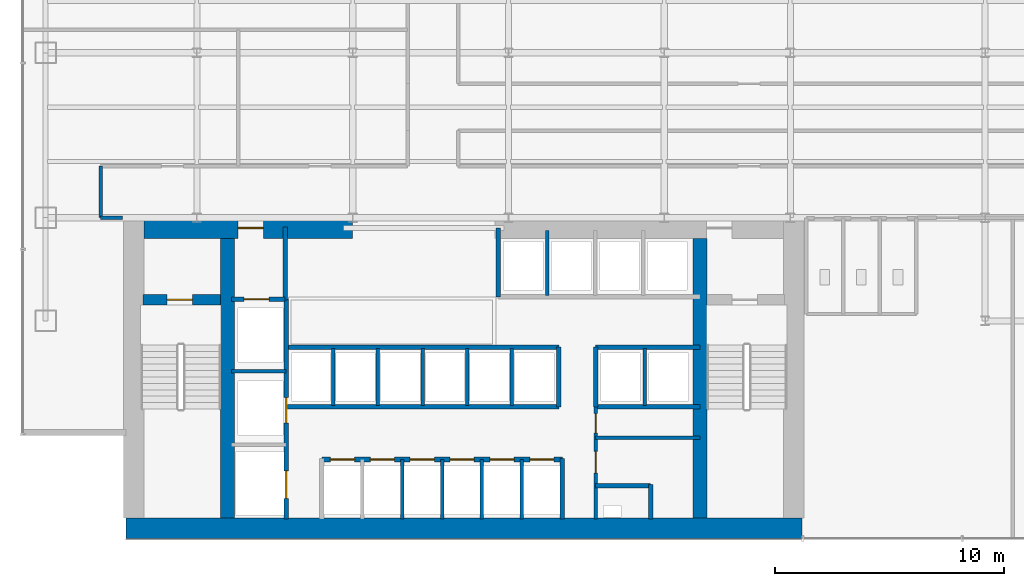
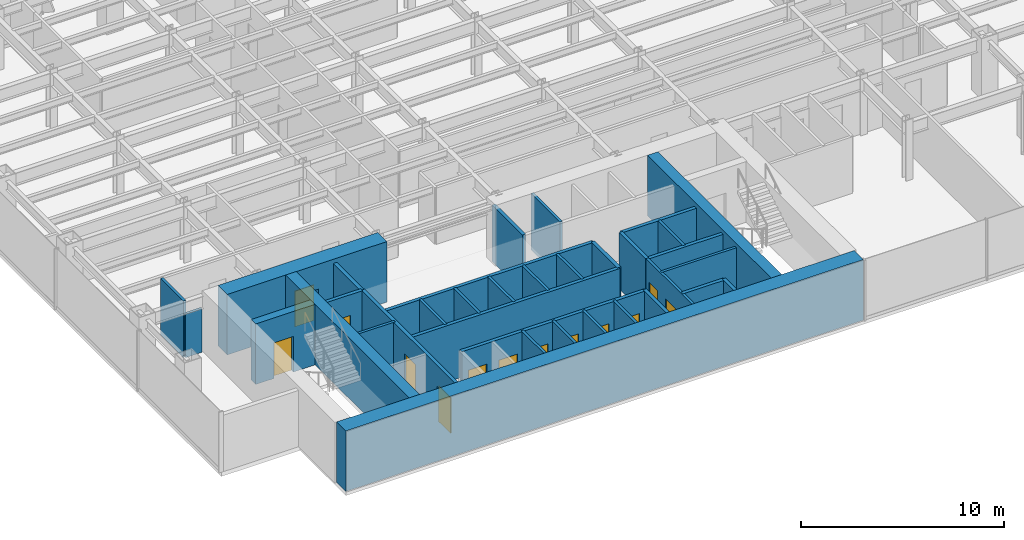
# One storey, part 17 of 22: 35 walls, 13 doors, 13 openings.
"""IFC4 building model written with IfcOpenShell, lengths in metres."""

from ifc_helpers import new_model, si_unit, derived_unit, direction, frame, frame_2d, origin, place, context, subcontext, project, spatial, rectangle, extrude, source, transform, mapped, material, layer, layer_set, type_object, element, fill, save


model = new_model("IFC4")

# Units and contexts
model_context = context("Model", 3, precision=1e-05, world=origin(), true_north=direction((0.0, 1.0)))
body_context = subcontext(model_context, "Body", "Model", "MODEL_VIEW")
ifc_project = project(units=[si_unit("LENGTHUNIT", "METRE"), si_unit("AREAUNIT", "SQUARE_METRE"), si_unit("VOLUMEUNIT", "CUBIC_METRE"), si_unit("PLANEANGLEUNIT", "RADIAN"), si_unit("MASSUNIT", "GRAM", prefix="KILO"), derived_unit("THERMALTRANSMITTANCEUNIT", [(si_unit("POWERUNIT", "WATT"), 1), (si_unit("LENGTHUNIT", "METRE"), -2), (si_unit("THERMODYNAMICTEMPERATUREUNIT", "KELVIN"), -1)])], contexts=[model_context])

# Site, building, storey
site_placement = place(None, origin())
site = spatial("IfcSite", under=ifc_project, at=site_placement, CompositionType="ELEMENT")
building_placement = place(site_placement, origin())
building = spatial("IfcBuilding", under=site, at=building_placement, Name="Skarnbrae Concourse Arena and Tower", CompositionType="ELEMENT")
storey_placement = place(building_placement, frame((0.0, 0.0, 58.050048828125)))
storey = spatial("IfcBuildingStorey", under=building, at=storey_placement, Name="L13", CompositionType="ELEMENT", Elevation=58.050048828125)

# Wall
ifc_material_1 = material(Name="Concrete 70 MPa (C70/85)", Category="concrete")
ifc_layer_1 = layer(ifc_material_1, 0.89990234375)
ifc_layer_set_1 = layer_set([ifc_layer_1], Name="Concrete 70 MPa (C70/85)")
wall_type_1 = type_object("IfcWallType", Name="WALL-CORE-900-C70", PredefinedType="SHEAR", material=ifc_layer_set_1)
shared_shape_1 = source(origin(), body_context, "Body", "SweptSolid", [
    extrude(rectangle(XDim=29.5, YDim=0.89990234375, at=frame_2d((14.75, 0.0))), origin(), (0.0, 0.0, 1.0), 3.64990234375),
])
wall_1_placement = place(storey_placement, frame((4.5, 0.449951171875, 0.0), z_axis=(0.0, 0.0, 1.0), x_axis=(1.0, 0.0, 0.0)))
element("IfcWall", 1, at=wall_1_placement, inside=storey, type_object=wall_type_1, Name="L13 Rear core shear wall CW-S", PredefinedType="SHEAR", context=body_context, shape_type="MappedRepresentation", body=[
    mapped(shared_shape_1, transform((0.0, 0.0, 0.0))),
])

# Wall, opening, door
shared_shape_2 = source(origin(), body_context, "Body", "SweptSolid", [
    extrude(rectangle(XDim=9.099853515625, YDim=0.89990234375, at=frame_2d((4.5498046875, 0.0))), origin(), (0.0, 0.0, 1.0), 3.64990234375),
])
wall_2_placement = place(storey_placement, frame((5.300048828125, 13.550048828125, 0.0), z_axis=(0.0, 0.0, 1.0), x_axis=(1.0, 0.0, 0.0)))
wall_2 = element("IfcWall", 2, at=wall_2_placement, inside=storey, type_object=wall_type_1, Name="L13 Rear core shear wall CW-NW", PredefinedType="SHEAR", context=body_context, shape_type="MappedRepresentation", body=[
    mapped(shared_shape_2, transform((0.0, 0.0, 0.0))),
])
opening_1_placement = place(wall_2_placement, frame((4.10009765625, 0.0, 0.0)))
opening_1 = element("IfcOpeningElement", 3, at=opening_1_placement, cuts=wall_2, Name="Opening DT-03", PredefinedType="OPENING", context=body_context, shape_type="SweptSolid", body=[
    extrude(rectangle(XDim=1.10009765625, YDim=2.14990234375, at=frame_2d((0.550048828125, 1.074951171875))), frame((0.0, 0.4599609375, 0.0), z_axis=(0.0, -1.0, 0.0), x_axis=(1.0, 0.0, 0.0)), (0.0, 0.0, 1.0), 0.919921875),
])
ifc_material_2 = material(Name="Steel CSA G40.21 350W", Category="steel")
door_type_1 = type_object("IfcDoorType", Name="DOOR-FIRE-1100-90M", OperationType="NOTDEFINED", PredefinedType="DOOR", material=ifc_material_2)
shared_shape_3 = source(origin(), body_context, "Body", "SweptSolid", [
    extrude(rectangle(XDim=1.10009765625, YDim=2.14990234375, at=frame_2d((0.550048828125, 1.074951171875))), frame((0.0, 0.02490234375, 0.0), z_axis=(0.0, -1.0, 0.0), x_axis=(1.0, 0.0, 0.0)), (0.0, 0.0, 1.0), 0.050048828125),
])
door_1_placement = place(opening_1_placement, origin())
door_1 = element("IfcDoor", 4, at=door_1_placement, inside=storey, type_object=door_type_1, Name="D-0523 Firefighting Lobby Exit Door", OperationType="SINGLE_SWING_RIGHT", OverallHeight=2.14990234375, OverallWidth=1.10009765625, PredefinedType="DOOR", context=body_context, shape_type="MappedRepresentation", body=[
    mapped(shared_shape_3, transform((0.0, 0.0, 0.0))),
])
fill(opening_1, door_1)

# Walls
ifc_layer_2 = layer(ifc_material_1, 0.60009765625)
ifc_layer_set_2 = layer_set([ifc_layer_2], Name="Concrete 70 MPa (C70/85)")
wall_type_2 = type_object("IfcWallType", Name="WALL-CORE-600-C70", PredefinedType="SHEAR", material=ifc_layer_set_2)
shared_shape_4 = source(origin(), body_context, "Body", "SweptSolid", [
    extrude(rectangle(XDim=12.2001953125, YDim=0.60009765625, at=frame_2d((6.10009765625, 0.0))), origin(), (0.0, 0.0, 1.0), 3.64990234375),
])
for number, where, z_axis, x_axis, name in (
    (5, (8.93994140625, 0.89990234375, 0.0), (0.0, 0.0, 1.0), (0.0, 1.0, 0.0), "L13 Rear core shear wall CW-WEB-W"),
    (6, (29.56005859375, 0.89990234375, 0.0), (0.0, 0.0, 1.0), (0.0, 1.0, 0.0), "L13 Rear core shear wall CW-WEB-E"),
):
    element("IfcWall", number, at=place(storey_placement, frame(where, z_axis=z_axis, x_axis=x_axis)), inside=storey, type_object=wall_type_2, Name=name, PredefinedType="SHEAR", context=body_context, shape_type="MappedRepresentation", body=[
        mapped(shared_shape_4, transform((0.0, 0.0, 0.0))),
    ])

# Wall, opening, door
ifc_material_3 = material(Name="Concrete 50 MPa (C50/60)", Category="concrete")
ifc_layer_3 = layer(ifc_material_3, 0.449951171875)
ifc_layer_set_3 = layer_set([ifc_layer_3], Name="Concrete 50 MPa (C50/60)")
wall_type_3 = type_object("IfcWallType", Name="WALL-CORE-450-C50", PredefinedType="SHEAR", material=ifc_layer_set_3)
shared_shape_5 = source(origin(), body_context, "Body", "SweptSolid", [
    extrude(rectangle(XDim=3.389892578125, YDim=0.449951171875, at=frame_2d((1.69482421875, 0.0))), origin(), (0.0, 0.0, 1.0), 3.64990234375),
])
wall_3_placement = place(storey_placement, frame((5.25, 10.419921875, 0.0), z_axis=(0.0, 0.0, 1.0), x_axis=(1.0, 0.0, 0.0)))
wall_3 = element("IfcWall", 7, at=wall_3_placement, inside=storey, type_object=wall_type_3, Name="L13 Rear core shear wall CW-ST1-N", PredefinedType="SHEAR", context=body_context, shape_type="MappedRepresentation", body=[
    mapped(shared_shape_5, transform((0.0, 0.0, 0.0))),
])
opening_2_placement = place(wall_3_placement, frame((1.050048828125, 0.0, 0.0)))
opening_2 = element("IfcOpeningElement", 8, at=opening_2_placement, cuts=wall_3, Name="Opening DT-03", PredefinedType="OPENING", context=body_context, shape_type="SweptSolid", body=[
    extrude(rectangle(XDim=1.10009765625, YDim=2.14990234375, at=frame_2d((0.550048828125, 1.074951171875))), frame((0.0, 0.23486328125, 0.0), z_axis=(0.0, -1.0, 0.0), x_axis=(1.0, 0.0, 0.0)), (0.0, 0.0, 1.0), 0.469970703125),
])
door_2_placement = place(opening_2_placement, frame((1.10009765625, 0.0, 0.0), z_axis=(0.0, 0.0, 1.0), x_axis=(-1.0, 0.0, 0.0)))
door_2 = element("IfcDoor", 9, at=door_2_placement, inside=storey, type_object=door_type_1, Name="D-0521 Stair ST-1 Door", OperationType="SINGLE_SWING_LEFT", OverallHeight=2.14990234375, OverallWidth=1.10009765625, PredefinedType="DOOR", context=body_context, shape_type="MappedRepresentation", body=[
    mapped(shared_shape_3, transform((0.0, 0.0, 0.0))),
])
fill(opening_2, door_2)

# Wall
ifc_material_4 = material(Name="Gypsum board on cold-formed steel studs", Category="steel")
ifc_layer_4 = layer(ifc_material_4, 0.199951171875)
ifc_layer_set_4 = layer_set([ifc_layer_4], Name="Gypsum board on cold-formed steel studs")
wall_type_4 = type_object("IfcWallType", Name="WALL-PART-200-2HR", PredefinedType="PARTITIONING", material=ifc_layer_set_4)
shared_shape_6 = source(origin(), body_context, "Body", "SweptSolid", [
    extrude(rectangle(XDim=3.18017578125, YDim=0.199951171875, at=frame_2d((1.590087890625, 0.0))), origin(), (0.0, 0.0, 1.0), 3.39990234375),
])
wall_4_placement = place(storey_placement, frame((11.449951171875, 10.419921875, 0.0), z_axis=(0.0, 0.0, 1.0), x_axis=(0.0, 1.0, 0.0)))
element("IfcWall", 10, at=wall_4_placement, inside=storey, type_object=wall_type_4, Name="L13 Interior partition wall W-L13-FFL-E", PredefinedType="PARTITIONING", context=body_context, shape_type="MappedRepresentation", body=[
    mapped(shared_shape_6, transform((0.0, 0.0, 0.0))),
])

# Wall, opening, door
shared_shape_7 = source(origin(), body_context, "Body", "SweptSolid", [
    extrude(rectangle(XDim=2.349853515625, YDim=0.199951171875, at=frame_2d((1.1748046875, 0.0))), origin(), (0.0, 0.0, 1.0), 3.39990234375),
])
wall_5_placement = place(storey_placement, frame((9.10009765625, 10.449951171875, 0.0), z_axis=(0.0, 0.0, 1.0), x_axis=(1.0, 0.0, 0.0)))
wall_5 = element("IfcWall", 11, at=wall_5_placement, inside=storey, type_object=wall_type_4, Name="L13 Interior partition wall W-L13-FL1-N", PredefinedType="PARTITIONING", context=body_context, shape_type="MappedRepresentation", body=[
    mapped(shared_shape_7, transform((0.0, 0.0, 0.0))),
])
opening_3_placement = place(wall_5_placement, frame((0.550048828125, 0.0, 0.0)))
opening_3 = element("IfcOpeningElement", 12, at=opening_3_placement, cuts=wall_5, Name="Opening LD-01", PredefinedType="OPENING", context=body_context, shape_type="SweptSolid", body=[
    extrude(rectangle(XDim=1.10009765625, YDim=2.14990234375, at=frame_2d((0.550048828125, 1.074951171875))), frame((0.0, 0.10986328125, 0.0), z_axis=(0.0, -1.0, 0.0), x_axis=(1.0, 0.0, 0.0)), (0.0, 0.0, 1.0), 0.219970703125),
])
door_type_2 = type_object("IfcDoorType", Name="DOOR-LIFT-SLIDE-1100", OperationType="SLIDING_TO_LEFT", PredefinedType="DOOR", material=ifc_material_2)
door_3_placement = place(opening_3_placement, origin())
door_3 = element("IfcDoor", 13, at=door_3_placement, inside=storey, type_object=door_type_2, Name="D-0525 Firefighting Lift Landing Door FL-01", OperationType="SLIDING_TO_LEFT", OverallHeight=2.14990234375, OverallWidth=1.10009765625, PredefinedType="DOOR", context=body_context, shape_type="MappedRepresentation", body=[
    mapped(shared_shape_3, transform((0.0, 0.0, 0.0))),
])
fill(opening_3, door_3)

# Wall, openings, doors
shared_shape_8 = source(origin(), body_context, "Body", "SweptSolid", [
    extrude(rectangle(XDim=9.599853515625, YDim=0.199951171875, at=frame_2d((4.7998046875, 0.0))), origin(), (0.0, 0.0, 1.0), 3.39990234375),
])
wall_6_placement = place(storey_placement, frame((11.5, 0.85009765625, 0.0), z_axis=(0.0, 0.0, 1.0), x_axis=(0.0, 1.0, 0.0)))
wall_6 = element("IfcWall", 14, at=wall_6_placement, inside=storey, type_object=wall_type_4, Name="L13 Interior partition wall W-L13-FL-E", PredefinedType="PARTITIONING", context=body_context, shape_type="MappedRepresentation", body=[
    mapped(shared_shape_8, transform((0.0, 0.0, 0.0))),
])
opening_4_placement = place(wall_6_placement, frame((4.199951171875, 0.0, 0.0)))
opening_4 = element("IfcOpeningElement", 15, at=opening_4_placement, cuts=wall_6, Name="Opening LD-01", PredefinedType="OPENING", context=body_context, shape_type="SweptSolid", body=[
    extrude(rectangle(XDim=1.10009765625, YDim=2.14990234375, at=frame_2d((0.550048828125, 1.074951171875))), frame((0.0, 0.10986328125, 0.0), z_axis=(0.0, -1.0, 0.0), x_axis=(1.0, 0.0, 0.0)), (0.0, 0.0, 1.0), 0.219970703125),
])
opening_5_placement = place(wall_6_placement, frame((0.89990234375, 0.0, 0.0)))
opening_5 = element("IfcOpeningElement", 16, at=opening_5_placement, cuts=wall_6, Name="Opening LD-02", PredefinedType="OPENING", context=body_context, shape_type="SweptSolid", body=[
    extrude(rectangle(XDim=1.199951171875, YDim=2.14990234375, at=frame_2d((0.60009765625, 1.074951171875))), frame((0.0, 0.10986328125, 0.0), z_axis=(0.0, -1.0, 0.0), x_axis=(1.0, 0.0, 0.0)), (0.0, 0.0, 1.0), 0.219970703125),
])
door_4_placement = place(opening_4_placement, frame((1.10009765625, 0.0, 0.0), z_axis=(0.0, 0.0, 1.0), x_axis=(-1.0, 0.0, 0.0)))
door_4 = element("IfcDoor", 17, at=door_4_placement, inside=storey, type_object=door_type_2, Name="D-0526 Firefighting Lift Landing Door FL-02", OperationType="SLIDING_TO_LEFT", OverallHeight=2.14990234375, OverallWidth=1.10009765625, PredefinedType="DOOR", context=body_context, shape_type="MappedRepresentation", body=[
    mapped(shared_shape_3, transform((0.0, 0.0, 0.0))),
])
fill(opening_4, door_4)
door_type_3 = type_object("IfcDoorType", Name="DOOR-LIFT-SLIDE-1200", OperationType="SLIDING_TO_LEFT", PredefinedType="DOOR", material=ifc_material_2)
shared_shape_9 = source(origin(), body_context, "Body", "SweptSolid", [
    extrude(rectangle(XDim=1.199951171875, YDim=2.14990234375, at=frame_2d((0.60009765625, 1.074951171875))), frame((0.0, 0.02490234375, 0.0), z_axis=(0.0, -1.0, 0.0), x_axis=(1.0, 0.0, 0.0)), (0.0, 0.0, 1.0), 0.050048828125),
])
door_5_placement = place(opening_5_placement, frame((1.199951171875, 0.0, 0.0), z_axis=(0.0, 0.0, 1.0), x_axis=(-1.0, 0.0, 0.0)))
door_5 = element("IfcDoor", 18, at=door_5_placement, inside=storey, type_object=door_type_3, Name="D-0527 Service Lift Landing Door SV-01", OperationType="SLIDING_TO_LEFT", OverallHeight=2.14990234375, OverallWidth=1.199951171875, PredefinedType="DOOR", context=body_context, shape_type="MappedRepresentation", body=[
    mapped(shared_shape_9, transform((0.0, 0.0, 0.0))),
])
fill(opening_5, door_5)

# Walls
ifc_layer_5 = layer(ifc_material_4, 0.14990234375)
ifc_layer_set_5 = layer_set([ifc_layer_5], Name="Gypsum board on cold-formed steel studs")
wall_type_5 = type_object("IfcWallType", Name="WALL-PART-150", PredefinedType="PARTITIONING", material=ifc_layer_set_5)
shared_shape_10 = source(origin(), body_context, "Body", "SweptSolid", [
    extrude(rectangle(XDim=2.39990234375, YDim=0.14990234375, at=frame_2d((1.199951171875, 0.0))), origin(), (0.0, 0.0, 1.0), 3.39990234375),
])
wall_7_placement = place(storey_placement, frame((9.10009765625, 7.300048828125, 0.0), z_axis=(0.0, 0.0, 1.0), x_axis=(1.0, 0.0, 0.0)))
element("IfcWall", 19, at=wall_7_placement, inside=storey, type_object=wall_type_5, Name="L13 Interior partition wall W-L13-FL-D2", PredefinedType="PARTITIONING", context=body_context, shape_type="MappedRepresentation", body=[
    mapped(shared_shape_10, transform((0.0, 0.0, 0.0))),
])
shared_shape_11 = source(origin(), body_context, "Body", "SweptSolid", [
    extrude(rectangle(XDim=2.64990234375, YDim=0.199951171875, at=frame_2d((1.324951171875, 0.0))), origin(), (0.0, 0.0, 1.0), 3.39990234375),
])
wall_8_placement = place(storey_placement, frame((23.550048828125, 0.85009765625, 0.0), z_axis=(0.0, 0.0, 1.0), x_axis=(0.0, 1.0, 0.0)))
element("IfcWall", 20, at=wall_8_placement, inside=storey, type_object=wall_type_4, Name="L13 Interior partition wall W-L13-B1-E", PredefinedType="PARTITIONING", context=body_context, shape_type="MappedRepresentation", body=[
    mapped(shared_shape_11, transform((0.0, 0.0, 0.0))),
])

# Wall, openings, doors
shared_shape_12 = source(origin(), body_context, "Body", "SweptSolid", [
    extrude(rectangle(XDim=10.5, YDim=0.199951171875, at=frame_2d((5.25, 0.0))), origin(), (0.0, 0.0, 1.0), 3.39990234375),
])
wall_9_placement = place(storey_placement, frame((13.050048828125, 3.449951171875, 0.0), z_axis=(0.0, 0.0, 1.0), x_axis=(1.0, 0.0, 0.0)))
wall_9 = element("IfcWall", 21, at=wall_9_placement, inside=storey, type_object=wall_type_4, Name="L13 Interior partition wall W-L13-B1-N", PredefinedType="PARTITIONING", context=body_context, shape_type="MappedRepresentation", body=[
    mapped(shared_shape_12, transform((0.0, 0.0, 0.0))),
])
opening_6_placement = place(wall_9_placement, frame((0.3798828125, 0.0, 0.0)))
opening_6 = element("IfcOpeningElement", 22, at=opening_6_placement, cuts=wall_9, Name="Opening LD-03", PredefinedType="OPENING", context=body_context, shape_type="SweptSolid", body=[
    extrude(rectangle(XDim=1.050048828125, YDim=2.14990234375, at=frame_2d((0.52490234375, 1.074951171875))), frame((0.0, 0.10986328125, 0.0), z_axis=(0.0, -1.0, 0.0), x_axis=(1.0, 0.0, 0.0)), (0.0, 0.0, 1.0), 0.219970703125),
])
opening_7_placement = place(wall_9_placement, frame((2.1201171875, 0.0, 0.0)))
opening_7 = element("IfcOpeningElement", 23, at=opening_7_placement, cuts=wall_9, Name="Opening LD-03", PredefinedType="OPENING", context=body_context, shape_type="SweptSolid", body=[
    extrude(rectangle(XDim=1.050048828125, YDim=2.14990234375, at=frame_2d((0.52490234375, 1.074951171875))), frame((0.0, 0.10986328125, 0.0), z_axis=(0.0, -1.0, 0.0), x_axis=(1.0, 0.0, 0.0)), (0.0, 0.0, 1.0), 0.219970703125),
])
opening_8_placement = place(wall_9_placement, frame((3.860107421875, 0.0, 0.0)))
opening_8 = element("IfcOpeningElement", 24, at=opening_8_placement, cuts=wall_9, Name="Opening LD-03", PredefinedType="OPENING", context=body_context, shape_type="SweptSolid", body=[
    extrude(rectangle(XDim=1.050048828125, YDim=2.14990234375, at=frame_2d((0.52490234375, 1.074951171875))), frame((0.0, 0.10986328125, 0.0), z_axis=(0.0, -1.0, 0.0), x_axis=(1.0, 0.0, 0.0)), (0.0, 0.0, 1.0), 0.219970703125),
])
opening_9_placement = place(wall_9_placement, frame((5.60009765625, 0.0, 0.0)))
opening_9 = element("IfcOpeningElement", 25, at=opening_9_placement, cuts=wall_9, Name="Opening LD-03", PredefinedType="OPENING", context=body_context, shape_type="SweptSolid", body=[
    extrude(rectangle(XDim=1.050048828125, YDim=2.14990234375, at=frame_2d((0.52490234375, 1.074951171875))), frame((0.0, 0.10986328125, 0.0), z_axis=(0.0, -1.0, 0.0), x_axis=(1.0, 0.0, 0.0)), (0.0, 0.0, 1.0), 0.219970703125),
])
opening_10_placement = place(wall_9_placement, frame((7.340087890625, 0.0, 0.0)))
opening_10 = element("IfcOpeningElement", 26, at=opening_10_placement, cuts=wall_9, Name="Opening LD-03", PredefinedType="OPENING", context=body_context, shape_type="SweptSolid", body=[
    extrude(rectangle(XDim=1.050048828125, YDim=2.14990234375, at=frame_2d((0.52490234375, 1.074951171875))), frame((0.0, 0.10986328125, 0.0), z_axis=(0.0, -1.0, 0.0), x_axis=(1.0, 0.0, 0.0)), (0.0, 0.0, 1.0), 0.219970703125),
])
opening_11_placement = place(wall_9_placement, frame((9.080078125, 0.0, 0.0)))
opening_11 = element("IfcOpeningElement", 27, at=opening_11_placement, cuts=wall_9, Name="Opening LD-03", PredefinedType="OPENING", context=body_context, shape_type="SweptSolid", body=[
    extrude(rectangle(XDim=1.050048828125, YDim=2.14990234375, at=frame_2d((0.52490234375, 1.074951171875))), frame((0.0, 0.10986328125, 0.0), z_axis=(0.0, -1.0, 0.0), x_axis=(1.0, 0.0, 0.0)), (0.0, 0.0, 1.0), 0.219970703125),
])
ifc_material_5 = material(Name="Bronze anodised aluminium 6063-T6", Category="aluminium")
door_type_4 = type_object("IfcDoorType", Name="DOOR-LIFT-SLIDE-1050", OperationType="SLIDING_TO_LEFT", PredefinedType="DOOR", material=ifc_material_5)
shared_shape_13 = source(origin(), body_context, "Body", "SweptSolid", [
    extrude(rectangle(XDim=1.050048828125, YDim=2.14990234375, at=frame_2d((0.52490234375, 1.074951171875))), frame((0.0, 0.02490234375, 0.0), z_axis=(0.0, -1.0, 0.0), x_axis=(1.0, 0.0, 0.0)), (0.0, 0.0, 1.0), 0.050048828125),
])
door_6_placement = place(opening_6_placement, origin())
door_6 = element("IfcDoor", 28, at=door_6_placement, inside=storey, type_object=door_type_4, Name="D-0528 Passenger Lift Landing Door PL-1A", OperationType="SLIDING_TO_LEFT", OverallHeight=2.14990234375, OverallWidth=1.050048828125, PredefinedType="DOOR", context=body_context, shape_type="MappedRepresentation", body=[
    mapped(shared_shape_13, transform((0.0, 0.0, 0.0))),
])
fill(opening_6, door_6)
door_7_placement = place(opening_7_placement, origin())
door_7 = element("IfcDoor", 29, at=door_7_placement, inside=storey, type_object=door_type_4, Name="D-0529 Passenger Lift Landing Door PL-1B", OperationType="SLIDING_TO_LEFT", OverallHeight=2.14990234375, OverallWidth=1.050048828125, PredefinedType="DOOR", context=body_context, shape_type="MappedRepresentation", body=[
    mapped(shared_shape_13, transform((0.0, 0.0, 0.0))),
])
fill(opening_7, door_7)
door_8_placement = place(opening_8_placement, origin())
door_8 = element("IfcDoor", 30, at=door_8_placement, inside=storey, type_object=door_type_4, Name="D-0530 Passenger Lift Landing Door PL-1C", OperationType="SLIDING_TO_LEFT", OverallHeight=2.14990234375, OverallWidth=1.050048828125, PredefinedType="DOOR", context=body_context, shape_type="MappedRepresentation", body=[
    mapped(shared_shape_13, transform((0.0, 0.0, 0.0))),
])
fill(opening_8, door_8)
door_9_placement = place(opening_9_placement, origin())
door_9 = element("IfcDoor", 31, at=door_9_placement, inside=storey, type_object=door_type_4, Name="D-0531 Passenger Lift Landing Door PL-1D", OperationType="SLIDING_TO_LEFT", OverallHeight=2.14990234375, OverallWidth=1.050048828125, PredefinedType="DOOR", context=body_context, shape_type="MappedRepresentation", body=[
    mapped(shared_shape_13, transform((0.0, 0.0, 0.0))),
])
fill(opening_9, door_9)
door_10_placement = place(opening_10_placement, origin())
door_10 = element("IfcDoor", 32, at=door_10_placement, inside=storey, type_object=door_type_4, Name="D-0532 Passenger Lift Landing Door PL-1E", OperationType="SLIDING_TO_LEFT", OverallHeight=2.14990234375, OverallWidth=1.050048828125, PredefinedType="DOOR", context=body_context, shape_type="MappedRepresentation", body=[
    mapped(shared_shape_13, transform((0.0, 0.0, 0.0))),
])
fill(opening_10, door_10)
door_11_placement = place(opening_11_placement, origin())
door_11 = element("IfcDoor", 33, at=door_11_placement, inside=storey, type_object=door_type_4, Name="D-0533 Passenger Lift Landing Door PL-1F", OperationType="SLIDING_TO_LEFT", OverallHeight=2.14990234375, OverallWidth=1.050048828125, PredefinedType="DOOR", context=body_context, shape_type="MappedRepresentation", body=[
    mapped(shared_shape_13, transform((0.0, 0.0, 0.0))),
])
fill(opening_11, door_11)

# Walls
shared_shape_14 = source(origin(), body_context, "Body", "SweptSolid", [
    extrude(rectangle(XDim=2.599853515625, YDim=0.14990234375, at=frame_2d((1.2998046875, 0.0))), origin(), (0.0, 0.0, 1.0), 3.39990234375),
])
for number, where, z_axis, x_axis, name in (
    (34, (16.56005859375, 0.85009765625, 0.0), (0.0, 0.0, 1.0), (0.0, 1.0, 0.0), "L13 Interior partition wall W-L13-B1-P2"),
    (35, (18.300048828125, 0.85009765625, 0.0), (0.0, 0.0, 1.0), (0.0, 1.0, 0.0), "L13 Interior partition wall W-L13-B1-P3"),
    (36, (20.0400390625, 0.85009765625, 0.0), (0.0, 0.0, 1.0), (0.0, 1.0, 0.0), "L13 Interior partition wall W-L13-B1-P4"),
    (37, (21.780029296875, 0.85009765625, 0.0), (0.0, 0.0, 1.0), (0.0, 1.0, 0.0), "L13 Interior partition wall W-L13-B1-P5"),
):
    element("IfcWall", number, at=place(storey_placement, frame(where, z_axis=z_axis, x_axis=x_axis)), inside=storey, type_object=wall_type_5, Name=name, PredefinedType="PARTITIONING", context=body_context, shape_type="MappedRepresentation", body=[
        mapped(shared_shape_14, transform((0.0, 0.0, 0.0))),
    ])
shared_shape_15 = source(origin(), body_context, "Body", "SweptSolid", [
    extrude(rectangle(XDim=11.849853515625, YDim=0.199951171875, at=frame_2d((5.9248046875, 0.0))), origin(), (0.0, 0.0, 1.0), 3.39990234375),
])
for number, where, z_axis, x_axis, name in (
    (38, (11.550048828125, 5.75, 0.0), (0.0, 0.0, 1.0), (1.0, 0.0, 0.0), "L13 Interior partition wall W-L13-B2-S"),
    (39, (11.550048828125, 8.35009765625, 0.0), (0.0, 0.0, 1.0), (1.0, 0.0, 0.0), "L13 Interior partition wall W-L13-B2-N"),
):
    element("IfcWall", number, at=place(storey_placement, frame(where, z_axis=z_axis, x_axis=x_axis)), inside=storey, type_object=wall_type_4, Name=name, PredefinedType="PARTITIONING", context=body_context, shape_type="MappedRepresentation", body=[
        mapped(shared_shape_15, transform((0.0, 0.0, 0.0))),
    ])
shared_shape_16 = source(origin(), body_context, "Body", "SweptSolid", [
    extrude(rectangle(XDim=2.60009765625, YDim=0.199951171875, at=frame_2d((1.300048828125, 0.0))), origin(), (0.0, 0.0, 1.0), 3.39990234375),
])
for number, where, z_axis, x_axis, name in (
    (40, (23.39990234375, 5.75, 0.0), (0.0, 0.0, 1.0), (0.0, 1.0, 0.0), "L13 Interior partition wall W-L13-B2-E"),
    (41, (25.0, 5.75, 0.0), (0.0, 0.0, 1.0), (0.0, 1.0, 0.0), "L13 Interior partition wall W-L13-B3S-W"),
):
    element("IfcWall", number, at=place(storey_placement, frame(where, z_axis=z_axis, x_axis=x_axis)), inside=storey, type_object=wall_type_4, Name=name, PredefinedType="PARTITIONING", context=body_context, shape_type="MappedRepresentation", body=[
        mapped(shared_shape_16, transform((0.0, 0.0, 0.0))),
    ])
shared_shape_17 = source(origin(), body_context, "Body", "SweptSolid", [
    extrude(rectangle(XDim=2.5, YDim=0.14990234375, at=frame_2d((1.25, 0.0))), origin(), (0.0, 0.0, 1.0), 3.39990234375),
])
for number, where, z_axis, x_axis, name in (
    (42, (13.550048828125, 5.800048828125, 0.0), (0.0, 0.0, 1.0), (0.0, 1.0, 0.0), "L13 Interior partition wall W-L13-B2-P1"),
    (43, (15.5, 5.800048828125, 0.0), (0.0, 0.0, 1.0), (0.0, 1.0, 0.0), "L13 Interior partition wall W-L13-B2-P2"),
    (44, (17.449951171875, 5.800048828125, 0.0), (0.0, 0.0, 1.0), (0.0, 1.0, 0.0), "L13 Interior partition wall W-L13-B2-P3"),
    (45, (19.39990234375, 5.800048828125, 0.0), (0.0, 0.0, 1.0), (0.0, 1.0, 0.0), "L13 Interior partition wall W-L13-B2-P4"),
    (46, (21.35009765625, 5.800048828125, 0.0), (0.0, 0.0, 1.0), (0.0, 1.0, 0.0), "L13 Interior partition wall W-L13-B2-P5"),
    (47, (27.139892578125, 5.800048828125, 0.0), (0.0, 0.0, 1.0), (0.0, 1.0, 0.0), "L13 Interior partition wall W-L13-B3S-P1"),
):
    element("IfcWall", number, at=place(storey_placement, frame(where, z_axis=z_axis, x_axis=x_axis)), inside=storey, type_object=wall_type_5, Name=name, PredefinedType="PARTITIONING", context=body_context, shape_type="MappedRepresentation", body=[
        mapped(shared_shape_17, transform((0.0, 0.0, 0.0))),
    ])
shared_shape_18 = source(origin(), body_context, "Body", "SweptSolid", [
    extrude(rectangle(XDim=3.0, YDim=0.199951171875, at=frame_2d((1.5, 0.0))), origin(), (0.0, 0.0, 1.0), 3.39990234375),
])
wall_10_placement = place(storey_placement, frame((20.75, 10.550048828125, 0.0), z_axis=(0.0, 0.0, 1.0), x_axis=(0.0, 1.0, 0.0)))
element("IfcWall", 48, at=wall_10_placement, inside=storey, type_object=wall_type_4, Name="L13 Interior partition wall W-L13-B3N-W", PredefinedType="PARTITIONING", context=body_context, shape_type="MappedRepresentation", body=[
    mapped(shared_shape_18, transform((0.0, 0.0, 0.0))),
])
shared_shape_19 = source(origin(), body_context, "Body", "SweptSolid", [
    extrude(rectangle(XDim=2.849853515625, YDim=0.14990234375, at=frame_2d((1.4248046875, 0.0))), origin(), (0.0, 0.0, 1.0), 3.39990234375),
])
wall_11_placement = place(storey_placement, frame((22.889892578125, 10.60009765625, 0.0), z_axis=(0.0, 0.0, 1.0), x_axis=(0.0, 1.0, 0.0)))
element("IfcWall", 49, at=wall_11_placement, inside=storey, type_object=wall_type_5, Name="L13 Interior partition wall W-L13-B3N-P1", PredefinedType="PARTITIONING", context=body_context, shape_type="MappedRepresentation", body=[
    mapped(shared_shape_19, transform((0.0, 0.0, 0.0))),
])
shared_shape_20 = source(origin(), body_context, "Body", "SweptSolid", [
    extrude(rectangle(XDim=4.550048828125, YDim=0.199951171875, at=frame_2d((2.27490234375, 0.0))), origin(), (0.0, 0.0, 1.0), 3.39990234375),
])
for number, where, z_axis, x_axis, name in (
    (50, (25.0, 8.35009765625, 0.0), (0.0, 0.0, 1.0), (1.0, 0.0, 0.0), "L13 Interior partition wall W-L13-B3S-N"),
    (51, (25.0, 5.75, 0.0), (0.0, 0.0, 1.0), (1.0, 0.0, 0.0), "L13 Interior partition wall W-L13-B3S-S"),
):
    element("IfcWall", number, at=place(storey_placement, frame(where, z_axis=z_axis, x_axis=x_axis)), inside=storey, type_object=wall_type_4, Name=name, PredefinedType="PARTITIONING", context=body_context, shape_type="MappedRepresentation", body=[
        mapped(shared_shape_20, transform((0.0, 0.0, 0.0))),
    ])

# Wall, openings, doors
ifc_layer_6 = layer(ifc_material_4, 0.14990234375)
ifc_layer_set_6 = layer_set([ifc_layer_6], Name="Gypsum board on cold-formed steel studs")
wall_type_6 = type_object("IfcWallType", Name="WALL-PART-150-1HR", PredefinedType="PARTITIONING", material=ifc_layer_set_6)
shared_shape_21 = source(origin(), body_context, "Body", "SweptSolid", [
    extrude(rectangle(XDim=4.89990234375, YDim=0.14990234375, at=frame_2d((2.449951171875, 0.0))), origin(), (0.0, 0.0, 1.0), 3.39990234375),
])
wall_12_placement = place(storey_placement, frame((25.0, 0.85009765625, 0.0), z_axis=(0.0, 0.0, 1.0), x_axis=(0.0, 1.0, 0.0)))
wall_12 = element("IfcWall", 52, at=wall_12_placement, inside=storey, type_object=wall_type_6, Name="L13 Interior partition wall W-L13-CSV-W", PredefinedType="PARTITIONING", context=body_context, shape_type="MappedRepresentation", body=[
    mapped(shared_shape_21, transform((0.0, 0.0, 0.0))),
])
opening_12_placement = place(wall_12_placement, frame((2.0, 0.0, 0.0)))
opening_12 = element("IfcOpeningElement", 53, at=opening_12_placement, cuts=wall_12, Name="Opening DT-04", PredefinedType="OPENING", context=body_context, shape_type="SweptSolid", body=[
    extrude(rectangle(XDim=0.949951171875, YDim=2.14990234375, at=frame_2d((0.47509765625, 1.074951171875))), frame((0.0, 0.0849609375, 0.0), z_axis=(0.0, -1.0, 0.0), x_axis=(1.0, 0.0, 0.0)), (0.0, 0.0, 1.0), 0.169921875),
])
opening_13_placement = place(wall_12_placement, frame((3.75, 0.0, 0.0)))
opening_13 = element("IfcOpeningElement", 54, at=opening_13_placement, cuts=wall_12, Name="Opening DT-08", PredefinedType="OPENING", context=body_context, shape_type="SweptSolid", body=[
    extrude(rectangle(XDim=0.85009765625, YDim=2.14990234375, at=frame_2d((0.425048828125, 1.074951171875))), frame((0.0, 0.0849609375, 0.0), z_axis=(0.0, -1.0, 0.0), x_axis=(1.0, 0.0, 0.0)), (0.0, 0.0, 1.0), 0.169921875),
])
door_type_5 = type_object("IfcDoorType", Name="DOOR-INT-950-45M", OperationType="NOTDEFINED", PredefinedType="DOOR", material=ifc_material_2)
shared_shape_22 = source(origin(), body_context, "Body", "SweptSolid", [
    extrude(rectangle(XDim=0.949951171875, YDim=2.14990234375, at=frame_2d((0.47509765625, 1.074951171875))), frame((0.0, 0.02490234375, 0.0), z_axis=(0.0, -1.0, 0.0), x_axis=(1.0, 0.0, 0.0)), (0.0, 0.0, 1.0), 0.050048828125),
])
door_12_placement = place(opening_12_placement, origin())
door_12 = element("IfcDoor", 55, at=door_12_placement, inside=storey, type_object=door_type_5, Name="D-0534 Telemetry Room Door", OperationType="SINGLE_SWING_LEFT", OverallHeight=2.14990234375, OverallWidth=0.949951171875, PredefinedType="DOOR", context=body_context, shape_type="MappedRepresentation", body=[
    mapped(shared_shape_22, transform((0.0, 0.0, 0.0))),
])
fill(opening_12, door_12)
door_type_6 = type_object("IfcDoorType", Name="DOOR-INT-850-45M", OperationType="NOTDEFINED", PredefinedType="DOOR", material=ifc_material_2)
shared_shape_23 = source(origin(), body_context, "Body", "SweptSolid", [
    extrude(rectangle(XDim=0.85009765625, YDim=2.14990234375, at=frame_2d((0.425048828125, 1.074951171875))), frame((0.0, 0.02490234375, 0.0), z_axis=(0.0, -1.0, 0.0), x_axis=(1.0, 0.0, 0.0)), (0.0, 0.0, 1.0), 0.050048828125),
])
door_13_placement = place(opening_13_placement, origin())
door_13 = element("IfcDoor", 56, at=door_13_placement, inside=storey, type_object=door_type_6, Name="D-0535 Recycling Room Door", OperationType="SINGLE_SWING_RIGHT", OverallHeight=2.14990234375, OverallWidth=0.85009765625, PredefinedType="DOOR", context=body_context, shape_type="MappedRepresentation", body=[
    mapped(shared_shape_23, transform((0.0, 0.0, 0.0))),
])
fill(opening_13, door_13)

# Walls
shared_shape_24 = source(origin(), body_context, "Body", "SweptSolid", [
    extrude(rectangle(XDim=2.39990234375, YDim=0.199951171875, at=frame_2d((1.199951171875, 0.0))), origin(), (0.0, 0.0, 1.0), 3.39990234375),
])
wall_13_placement = place(storey_placement, frame((25.0, 2.300048828125, 0.0), z_axis=(0.0, 0.0, 1.0), x_axis=(1.0, 0.0, 0.0)))
element("IfcWall", 57, at=wall_13_placement, inside=storey, type_object=wall_type_4, Name="L13 Interior partition wall W-L13-MEP-N", PredefinedType="PARTITIONING", context=body_context, shape_type="MappedRepresentation", body=[
    mapped(shared_shape_24, transform((0.0, 0.0, 0.0))),
])
shared_shape_25 = source(origin(), body_context, "Body", "SweptSolid", [
    extrude(rectangle(XDim=1.5, YDim=0.199951171875, at=frame_2d((0.75, 0.0))), origin(), (0.0, 0.0, 1.0), 3.39990234375),
])
wall_14_placement = place(storey_placement, frame((27.39990234375, 0.85009765625, 0.0), z_axis=(0.0, 0.0, 1.0), x_axis=(0.0, 1.0, 0.0)))
element("IfcWall", 58, at=wall_14_placement, inside=storey, type_object=wall_type_4, Name="L13 Interior partition wall W-L13-MEP-E", PredefinedType="PARTITIONING", context=body_context, shape_type="MappedRepresentation", body=[
    mapped(shared_shape_25, transform((0.0, 0.0, 0.0))),
])
shared_shape_26 = source(origin(), body_context, "Body", "SweptSolid", [
    extrude(rectangle(XDim=4.550048828125, YDim=0.14990234375, at=frame_2d((2.27490234375, 0.0))), origin(), (0.0, 0.0, 1.0), 3.39990234375),
])
wall_15_placement = place(storey_placement, frame((25.0, 4.39990234375, 0.0), z_axis=(0.0, 0.0, 1.0), x_axis=(1.0, 0.0, 0.0)))
element("IfcWall", 59, at=wall_15_placement, inside=storey, type_object=wall_type_5, Name="L13 Interior partition wall W-L13-CSV-H", PredefinedType="PARTITIONING", context=body_context, shape_type="MappedRepresentation", body=[
    mapped(shared_shape_26, transform((0.0, 0.0, 0.0))),
])
shared_shape_27 = source(origin(), body_context, "Body", "SweptSolid", [
    extrude(rectangle(XDim=0.9501953125, YDim=0.14990234375, at=frame_2d((0.47509765625, 0.0))), origin(), (0.0, 0.0, 1.0), 2.625),
])
wall_16_placement = place(storey_placement, frame((4.35009765625, 14.0, 0.0), z_axis=(0.0, 0.0, 1.0), x_axis=(-1.0, 0.0, 0.0)))
element("IfcWall", 60, at=wall_16_placement, inside=storey, type_object=wall_type_6, Name="L13 Interior partition wall W-L13-COR-01", PredefinedType="PARTITIONING", context=body_context, shape_type="MappedRepresentation", body=[
    mapped(shared_shape_27, transform((0.0, 0.0, 0.0))),
])
shared_shape_28 = source(origin(), body_context, "Body", "SweptSolid", [
    extrude(rectangle(XDim=2.25, YDim=0.14990234375, at=frame_2d((1.125, 0.0))), origin(), (0.0, 0.0, 1.0), 3.39990234375),
])
wall_17_placement = place(storey_placement, frame((3.39990234375, 14.0, 0.0), z_axis=(0.0, 0.0, 1.0), x_axis=(0.0, 1.0, 0.0)))
element("IfcWall", 61, at=wall_17_placement, inside=storey, type_object=wall_type_6, Name="L13 Interior partition wall W-L13-COR-02", PredefinedType="PARTITIONING", context=body_context, shape_type="MappedRepresentation", body=[
    mapped(shared_shape_28, transform((0.0, 0.0, 0.0))),
])

save(model, "model.ifc")
